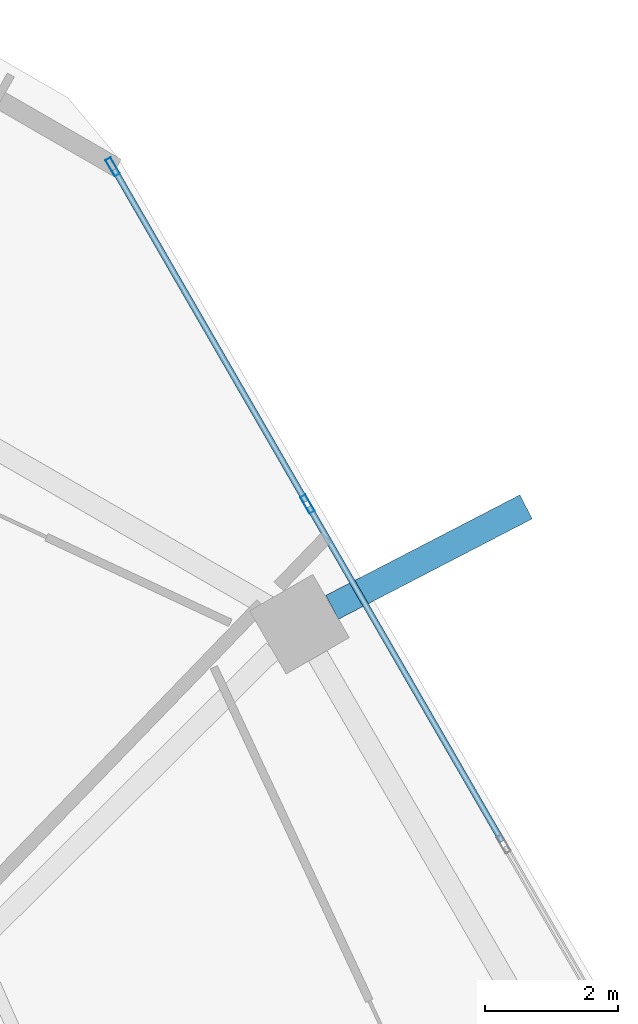
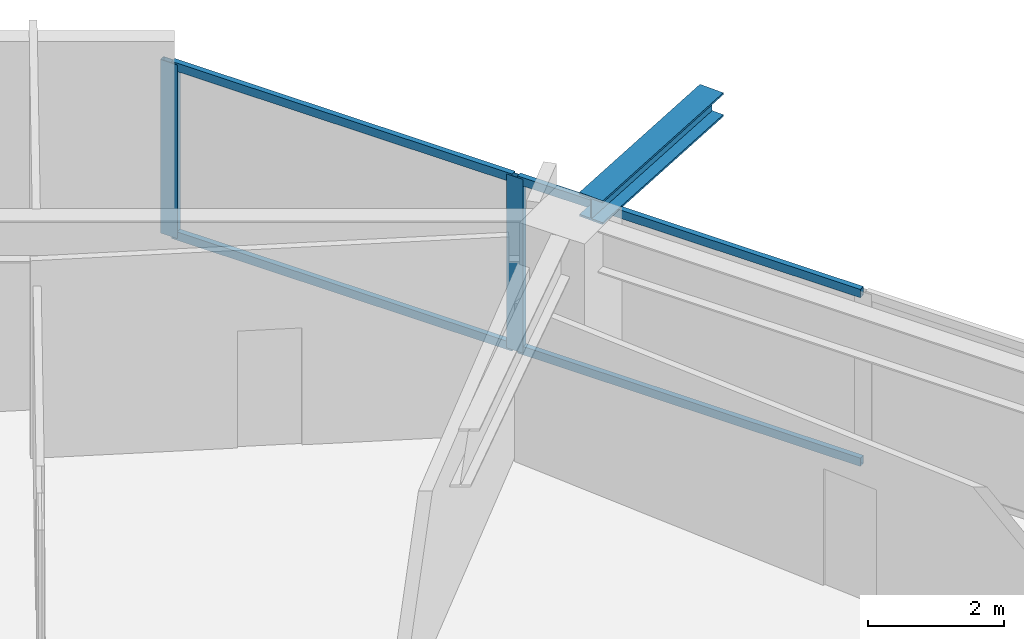
# One storey, part 21 of 33: 6 members, 1 beam, 1 element without a shape of its own.
"""IFC4 building model written with IfcOpenShell, lengths in metres."""

from ifc_helpers import new_model, si_unit, direction, frame, origin, origin_2d, place, context, subcontext, project, spatial, hollow_rectangle, i_section, extrude, material, material_profile, profile_set, type_object, element, aggregate, save


model = new_model("IFC4")

# Units and contexts
model_context = context("Model", 3, precision=1e-05, world=origin(), true_north=direction((0.0, 1.0)))
body_context = subcontext(model_context, "Body", "Model", "MODEL_VIEW")
ifc_project = project(units=[si_unit("LENGTHUNIT", "METRE"), si_unit("AREAUNIT", "SQUARE_METRE"), si_unit("VOLUMEUNIT", "CUBIC_METRE"), si_unit("PLANEANGLEUNIT", "RADIAN"), si_unit("MASSUNIT", "GRAM", prefix="KILO")], contexts=[model_context])

# Site, building, storey
site_placement = place(None, origin())
site = spatial("IfcSite", under=ifc_project, at=site_placement, CompositionType="ELEMENT")
building_placement = place(site_placement, origin())
building = spatial("IfcBuilding", under=site, at=building_placement, Name="Zuhravey Tower", CompositionType="ELEMENT")
storey_placement = place(building_placement, frame((0.0, 0.0, 96.199951171875)))
storey = spatial("IfcBuildingStorey", under=building, at=storey_placement, Name="L23", CompositionType="ELEMENT", Elevation=96.199951171875)

# Curtain wall, members
ifc_material_1 = material(Name="Thermally broken anodised aluminium", Category="aluminium")
curtain_wall_type = type_object("IfcCurtainWallType", Name="Zone 1-2 Residential Curtain Wall CW3", PredefinedType="NOTDEFINED", material=ifc_material_1)
curtain_wall_placement = place(storey_placement, origin())
curtain_wall = element("IfcCurtainWall", 1, at=curtain_wall_placement, inside=storey, type_object=curtain_wall_type, Name="L23 CW3 CW-L23-F1-1", PredefinedType="NOTDEFINED")
ifc_material_2 = material(Name="Anodised aluminium", Category="aluminium")
ifc_material_profile_1 = material_profile(ifc_material_2, hollow_rectangle(XDim=0.090087890625, YDim=0.284912109375, WallThickness=0.0048828125, at=origin_2d()), Name="ALU-RHS-90x285x5")
ifc_profile_set_1 = profile_set([ifc_material_profile_1], Name="Anodised aluminium")
member_type_1 = type_object("IfcMemberType", Name="Curtain-Wall Mullion 90x180", PredefinedType="MULLION", material=ifc_profile_set_1)
member_1_placement = place(storey_placement, frame((53.701416015625, 59.257080078125, 0.0), z_axis=(0.0, 0.0, 1.0), x_axis=(0.86602552265, 0.499999794119, 0.0)))
member_1 = element("IfcMember", 2, at=member_1_placement, type_object=member_type_1, Name="CW3 mullion 1", PredefinedType="MULLION", context=body_context, shape_type="SweptSolid", body=[
    extrude(hollow_rectangle(XDim=0.090087890625, YDim=0.284912109375, WallThickness=0.0048828125, at=origin_2d()), origin(), (0.0, 0.0, 1.0), 3.1220703125),
])
member_2_placement = place(storey_placement, frame((56.638916015625, 54.169189453125, 0.0), z_axis=(0.0, 0.0, 1.0), x_axis=(0.86602552265, 0.499999794119, 0.0)))
member_2 = element("IfcMember", 3, at=member_2_placement, type_object=member_type_1, Name="CW3 mullion 2", PredefinedType="MULLION", context=body_context, shape_type="SweptSolid", body=[
    extrude(hollow_rectangle(XDim=0.090087890625, YDim=0.284912109375, WallThickness=0.0048828125, at=origin_2d()), origin(), (0.0, 0.0, 1.0), 3.1220703125),
])
ifc_material_profile_2 = material_profile(ifc_material_2, hollow_rectangle(XDim=0.090087890625, YDim=0.14990234375, WallThickness=0.0048828125, at=origin_2d()), Name="ALU-RHS-90x150x5")
ifc_profile_set_2 = profile_set([ifc_material_profile_2], Name="Anodised aluminium")
member_type_2 = type_object("IfcMemberType", Name="Curtain-Wall Transom 90x150", PredefinedType="USERDEFINED", material=ifc_profile_set_2)
member_3_placement = place(storey_placement, frame((53.72412109375, 59.218017578125, 0.045166015625), z_axis=(0.499992798144, -0.866029561738, 0.0), x_axis=(0.866029561738, 0.499992798144, 0.0)))
member_3 = element("IfcMember", 4, at=member_3_placement, type_object=member_type_2, Name="CW3 transom 1.1", ObjectType="TRANSOM", PredefinedType="USERDEFINED", context=body_context, shape_type="SweptSolid", body=[
    extrude(hollow_rectangle(XDim=0.090087890625, YDim=0.14990234375, WallThickness=0.0048828125, at=origin_2d()), origin(), (0.0, 0.0, 1.0), 5.78466796875),
])
member_4_placement = place(storey_placement, frame((53.72412109375, 59.218017578125, 3.0771484375), z_axis=(0.499992798144, -0.866029561738, 0.0), x_axis=(0.866029561738, 0.499992798144, 0.0)))
member_4 = element("IfcMember", 5, at=member_4_placement, type_object=member_type_2, Name="CW3 transom 1.2", ObjectType="TRANSOM", PredefinedType="USERDEFINED", context=body_context, shape_type="SweptSolid", body=[
    extrude(hollow_rectangle(XDim=0.090087890625, YDim=0.14990234375, WallThickness=0.0048828125, at=origin_2d()), origin(), (0.0, 0.0, 1.0), 5.78466796875),
])
member_5_placement = place(storey_placement, frame((56.661376953125, 54.13037109375, 0.045166015625), z_axis=(0.500012451049, -0.866018215049, 0.0), x_axis=(0.866018215049, 0.500012451049, 0.0)))
member_5 = element("IfcMember", 6, at=member_5_placement, type_object=member_type_2, Name="CW3 transom 2.1", ObjectType="TRANSOM", PredefinedType="USERDEFINED", context=body_context, shape_type="SweptSolid", body=[
    extrude(hollow_rectangle(XDim=0.090087890625, YDim=0.14990234375, WallThickness=0.0048828125, at=origin_2d()), origin(), (0.0, 0.0, 1.0), 5.829833984375),
])
member_6_placement = place(storey_placement, frame((56.661376953125, 54.13037109375, 3.0771484375), z_axis=(0.500012451049, -0.866018215049, 0.0), x_axis=(0.866018215049, 0.500012451049, 0.0)))
member_6 = element("IfcMember", 7, at=member_6_placement, type_object=member_type_2, Name="CW3 transom 2.2", ObjectType="TRANSOM", PredefinedType="USERDEFINED", context=body_context, shape_type="SweptSolid", body=[
    extrude(hollow_rectangle(XDim=0.090087890625, YDim=0.14990234375, WallThickness=0.0048828125, at=origin_2d()), origin(), (0.0, 0.0, 1.0), 5.829833984375),
])
aggregate(curtain_wall, [member_1, member_2, member_3, member_4, member_5, member_6])

# Beam
ifc_material_3 = material(Name="Steel SM460", Category="steel")
ifc_material_profile_3 = material_profile(ifc_material_3, i_section(OverallWidth=0.406982421875, OverallDepth=0.427978515625, WebThickness=0.02001953125, FlangeThickness=0.034912109375, at=origin_2d()), Name="H-428x407x20x35")
ifc_profile_set_3 = profile_set([ifc_material_profile_3], Name="Steel SM460")
beam_type = type_object("IfcBeamType", Name="Exoskeleton Node Tie Beam H428x407", PredefinedType="BEAM", material=ifc_profile_set_3)
beam_placement = place(storey_placement, frame((57.011474609375, 52.612060546875, 3.3359375), z_axis=(0.887932798852, 0.459973200006, 0.0), x_axis=(-0.459973200006, 0.887932798852, 0.0)))
element("IfcBeam", 8, at=beam_placement, inside=storey, type_object=beam_type, Name="L23 Exoskeleton Node Tie NT1-02", PredefinedType="BEAM", context=body_context, shape_type="SweptSolid", body=[
    extrude(i_section(OverallWidth=0.406982421875, OverallDepth=0.427978515625, WebThickness=0.02001953125, FlangeThickness=0.034912109375, at=origin_2d()), origin(), (0.0, 0.0, 1.0), 3.29443359375),
])

save(model, "model.ifc")
